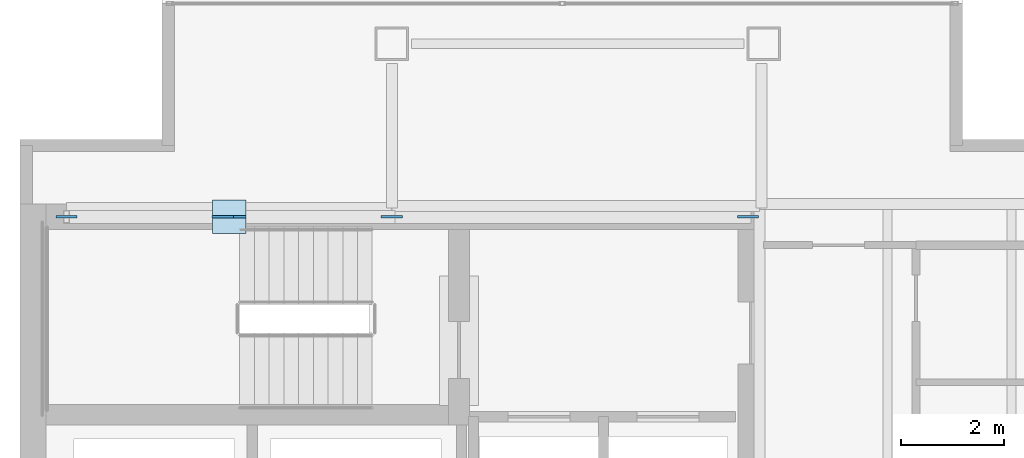
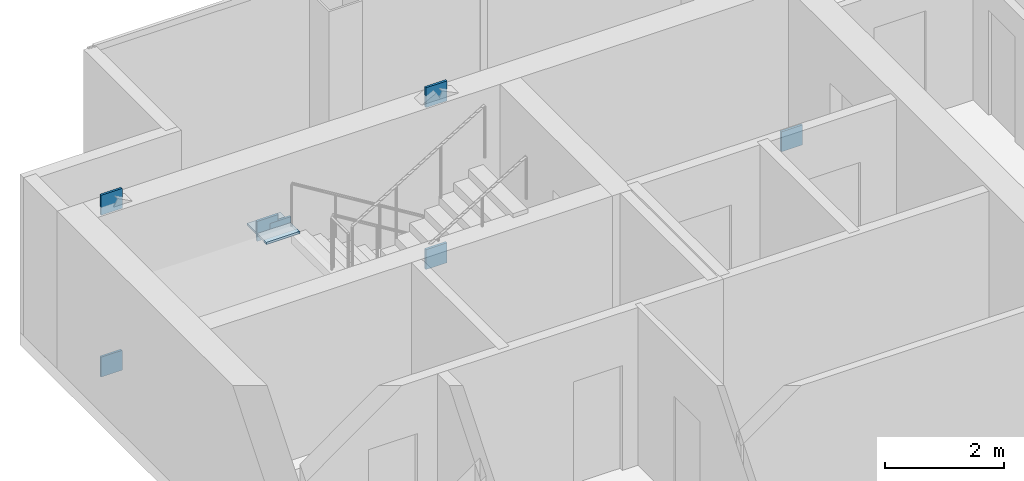
# One storey, part 21 of 24: 8 plates.
"""IFC4 building model written with IfcOpenShell, lengths in metres."""

import ifcopenshell
import ifcopenshell.guid

model = None  # the IFC model being written
_history = None  # IfcOwnerHistory: only IFC2X3 demands one
_inside = {}  # id of a spatial element -> (the spatial element, [elements in it])
_under = {}  # id of a project, library or spatial element -> (it, [spatial elements below it])
_declared = {}  # id of a project -> (the project, [libraries it declares])
_typed = {}  # id of a type object -> (the type object, [elements of that type])
_made_of = {}  # id of a material, layer set ... -> (it, [elements and type objects made of it])


def new_model(schema):
    """Start an empty IFC model of exactly this schema.

    Asked for "IFC4X3", IfcOpenShell would pick the latest addendum, in which some entities
    have other attributes; the version numbers below select the first issue.
    IFC2X3 requires an IfcOwnerHistory on every rooted entity: one is made here for all.
    """
    global model, _history
    if schema == "IFC4X3":
        model = ifcopenshell.file(schema_version=(4, 3, 0, 0))
    else:
        model = ifcopenshell.file(schema=schema)
    _inside.clear()
    _under.clear()
    _declared.clear()
    _typed.clear()
    _made_of.clear()
    _history = None
    if model.schema == "IFC2X3":
        org = make("IfcOrganization", Name="unknown")
        user = make(
            "IfcPersonAndOrganization",
            ThePerson=make("IfcPerson", FamilyName="unknown"),
            TheOrganization=org,
        )
        app = make(
            "IfcApplication",
            ApplicationDeveloper=org,
            Version="unknown",
            ApplicationFullName="unknown",
            ApplicationIdentifier="unknown",
        )
        _history = make(
            "IfcOwnerHistory",
            OwningUser=user,
            OwningApplication=app,
            ChangeAction="ADDED",
            CreationDate=0,
        )
    return model


def make(cls, **values):
    """One entity of the class cls with the attributes given. An attribute that is None is left unset."""
    return model.create_entity(
        cls, **{name: value for name, value in values.items() if value is not None}
    )


def rooted(cls, **values):
    """An entity with a GlobalId (a new one), such as an element, a storey or a relation."""
    return make(cls, GlobalId=ifcopenshell.guid.new(), OwnerHistory=_history, **values)


def si_unit(unit_type, name, prefix=None):
    """IfcSIUnit, for example si_unit("LENGTHUNIT", "METRE", prefix="MILLI")."""
    return make("IfcSIUnit", UnitType=unit_type, Prefix=prefix, Name=name)


def assignment(units):
    """IfcUnitAssignment: the units of a project."""
    return None if units is None else make("IfcUnitAssignment", Units=units)


def point(xyz):
    """IfcCartesianPoint."""
    return None if xyz is None else make("IfcCartesianPoint", Coordinates=xyz)


def direction(xyz):
    """IfcDirection."""
    return None if xyz is None else make("IfcDirection", DirectionRatios=xyz)


def frame(location, z_axis=None, x_axis=None):
    """IfcAxis2Placement3D, a coordinate frame: its origin and axes. An axis left out is left unset."""
    return make(
        "IfcAxis2Placement3D",
        Location=point(location),
        Axis=direction(z_axis),
        RefDirection=direction(x_axis),
    )


def frame_2d(location, x_axis=None):
    """IfcAxis2Placement2D, a coordinate frame in the plane: its origin and x axis."""
    return make(
        "IfcAxis2Placement2D", Location=point(location), RefDirection=direction(x_axis)
    )


def origin():
    """The frame at (0, 0, 0) with its axes left unset."""
    return frame((0.0, 0.0, 0.0))


def origin_2d():
    """The frame at (0, 0) in the plane with its x axis left unset."""
    return frame_2d((0.0, 0.0))


def place(relative_to, where):
    """IfcLocalPlacement: puts the frame where relative to a parent placement (None: the world)."""
    return make(
        "IfcLocalPlacement", PlacementRelTo=relative_to, RelativePlacement=where
    )


def context(
    kind, dimensions, precision=None, world=None, true_north=None, identifier=None
):
    """IfcGeometricRepresentationContext, for example the 3D "Model" context."""
    return make(
        "IfcGeometricRepresentationContext",
        ContextIdentifier=identifier,
        ContextType=kind,
        CoordinateSpaceDimension=dimensions,
        Precision=precision,
        WorldCoordinateSystem=world,
        TrueNorth=true_north,
    )


def subcontext(parent, identifier, kind, view, scale=None):
    """IfcGeometricRepresentationSubContext, for example "Body" below "Model"."""
    return make(
        "IfcGeometricRepresentationSubContext",
        ContextIdentifier=identifier,
        ContextType=kind,
        ParentContext=parent,
        TargetScale=scale,
        TargetView=view,
    )


def project(units=None, contexts=None):
    """IfcProject with its units and contexts."""
    return rooted(
        "IfcProject",
        Name="project",
        RepresentationContexts=contexts,
        UnitsInContext=assignment(units),
    )


def spatial(cls, under=None, at=None, **own):
    """A site, building, storey or space (cls), placed at a placement, below another one or the project."""
    s = rooted(cls, ObjectPlacement=at, **own)
    if under is not None:
        _under.setdefault(under.id(), (under, []))[1].append(s)
    return s


def profile(cls, at=None, kind="AREA", **sizes):
    """A parametric profile (cls). Its sizes go by their IFC names, for example OverallWidth=200.0."""
    return make(cls, ProfileType=kind, Position=at, **sizes)


def rectangle(**sizes):
    """IfcRectangleProfileDef."""
    return profile("IfcRectangleProfileDef", **sizes)


def extrude(swept, where, along, depth):
    """IfcExtrudedAreaSolid: the profile swept, set in the frame where, extruded along a direction by depth."""
    return make(
        "IfcExtrudedAreaSolid",
        SweptArea=swept,
        Position=where,
        ExtrudedDirection=direction(along),
        Depth=depth,
    )


def shape(context_of_items, identifier, shape_type, items):
    """IfcShapeRepresentation: the items that make up one representation, for example the "Body"."""
    return make(
        "IfcShapeRepresentation",
        ContextOfItems=context_of_items,
        RepresentationIdentifier=identifier,
        RepresentationType=shape_type,
        Items=items,
    )


def material(Name=None, Category=None):
    """IfcMaterial."""
    return make("IfcMaterial", Name=Name, Category=Category)


def layer(
    of_material, thickness, ventilated=None, Name=None, Category=None, Priority=None
):
    """IfcMaterialLayer: one layer of a wall or slab, of a material (None: an air gap)."""
    return make(
        "IfcMaterialLayer",
        Material=of_material,
        LayerThickness=thickness,
        IsVentilated=ventilated,
        Name=Name,
        Category=Category,
        Priority=Priority,
    )


def layer_set(layers, Name=None):
    """IfcMaterialLayerSet."""
    return make("IfcMaterialLayerSet", MaterialLayers=layers, LayerSetName=Name)


def made_of(thing, what):
    """Note that an element or type object is made of a material, layer set ...; save() writes the relation."""
    if what is not None:
        _made_of.setdefault(what.id(), (what, []))[1].append(thing)
    return thing


def type_object(cls, material=None, **own):
    """A type object (cls), such as IfcWallType, which elements share."""
    return made_of(rooted(cls, **own), material)


def element(
    cls,
    number,
    at=None,
    inside=None,
    cuts=None,
    type_object=None,
    material=None,
    context=None,
    identifier="Body",
    shape_type=None,
    held_by="IfcProductDefinitionShape",
    body=None,
    shapes=None,
    **own,
):
    """One element of the class cls, such as IfcWall. Its Tag is "e" and its number.

    at: its placement. inside: the storey or other place that contains it. cuts: it is an
    opening in that element (IfcRelVoidsElement). A single representation is given by context,
    identifier, shape_type and body (its items); several are given by shapes. held_by: the class
    of the entity that holds the representations. save() writes the other relations.
    """
    e = rooted(cls, Tag="e%d" % number, ObjectPlacement=at, **own)
    if body is not None:
        shapes = [shape(context, identifier, shape_type, body)]
    if shapes is not None:
        e.Representation = make(held_by, Representations=shapes)
    if inside is not None:
        _inside.setdefault(inside.id(), (inside, []))[1].append(e)
    if cuts is not None:
        rooted(
            "IfcRelVoidsElement", RelatingBuildingElement=cuts, RelatedOpeningElement=e
        )
    if type_object is not None:
        _typed.setdefault(type_object.id(), (type_object, []))[1].append(e)
    return made_of(e, material)


def aggregate(whole, parts):
    """IfcRelAggregates: a whole, such as a stair, and the parts it consists of."""
    return rooted("IfcRelAggregates", RelatingObject=whole, RelatedObjects=parts)


def save(model, path):
    """Write the relations noted so far, then the file.

    IfcRelAggregates (storeys below a building ...), IfcRelContainedInSpatialStructure (elements
    in a storey), IfcRelDefinesByType, IfcRelAssociatesMaterial and IfcRelDeclares: one each for
    every whole, place, type object, material and project.
    """
    for whole, parts in _under.values():
        aggregate(whole, parts)
    for where, things in _inside.values():
        rooted(
            "IfcRelContainedInSpatialStructure",
            RelatedElements=things,
            RelatingStructure=where,
        )
    for kind, things in _typed.values():
        rooted("IfcRelDefinesByType", RelatedObjects=things, RelatingType=kind)
    for what, things in _made_of.values():
        rooted("IfcRelAssociatesMaterial", RelatedObjects=things, RelatingMaterial=what)
    for by, libraries in _declared.values():
        rooted("IfcRelDeclares", RelatingContext=by, RelatedDefinitions=libraries)
    model.write(path)


model = new_model("IFC4")

# Units and contexts
model_context = context("Model", 3, precision=1e-05, world=origin(), true_north=direction((0.0, 1.0)))
body_context = subcontext(model_context, "Body", "Model", "MODEL_VIEW")
ifc_project = project(units=[si_unit("LENGTHUNIT", "METRE"), si_unit("AREAUNIT", "SQUARE_METRE"), si_unit("VOLUMEUNIT", "CUBIC_METRE"), si_unit("PLANEANGLEUNIT", "RADIAN"), si_unit("MASSUNIT", "GRAM", prefix="KILO")], contexts=[model_context])

# Site, building, storey
site_placement = place(None, origin())
site = spatial("IfcSite", under=ifc_project, at=site_placement, CompositionType="ELEMENT")
building_placement = place(site_placement, origin())
building = spatial("IfcBuilding", under=site, at=building_placement, Name="Cobrela Telecom Tower", CompositionType="ELEMENT")
storey_placement = place(building_placement, frame((0.0, 0.0, 241.14990234375)))
storey = spatial("IfcBuildingStorey", under=building, at=storey_placement, Name="L62", CompositionType="ELEMENT", Elevation=241.14990234375)

# Plates
ifc_material = material(Name="Steel ASTM A572 Grade 50", Category="steel")
ifc_layer = layer(ifc_material, 0.0419921875)
ifc_layer_set = layer_set([ifc_layer], Name="Steel ASTM A572 Grade 50")
plate_type = type_object("IfcPlateType", Name="PLT-NODE-ND1", PredefinedType="USERDEFINED", material=ifc_layer_set)
for number, where, z_axis, x_axis, name in (
    (1, (0.89990234375, 35.75, -0.24462890625), (0.0, 0.0, 1.0), (1.0, 0.0, 0.0), "Steel node plate PLT-MBR-EXO-L62-N1-A-0"),
    (2, (7.199951171875, 35.75, 3.0751953125), (0.0, 0.0, 1.0), (1.0, 0.0, 0.0), "Steel node plate PLT-MBR-EXO-L62-N1-A-1"),
    (3, (7.199951171875, 35.75, -0.24462890625), (0.0, 0.0, 1.0), (-1.0, 0.0, 0.0), "Steel node plate PLT-MBR-EXO-L62-N1-B1-0"),
    (4, (4.173828125, 35.75, 1.349609375), (0.0, 0.0, 1.0), (-1.0, 0.0, 0.0), "Steel node plate PLT-MBR-EXO-L62-N1-B1-1"),
    (5, (3.926025390625, 35.75, 1.48046875), (0.0, 0.0, 1.0), (-1.0, 0.0, 0.0), "Steel node plate PLT-MBR-EXO-L62-N1-B2-0"),
    (6, (0.89990234375, 35.75, 3.0751953125), (0.0, 0.0, 1.0), (-1.0, 0.0, 0.0), "Steel node plate PLT-MBR-EXO-L62-N1-B2-1"),
):
    element("IfcPlate", number, at=place(storey_placement, frame(where, z_axis=z_axis, x_axis=x_axis)), inside=storey, type_object=plate_type, Name=name, ObjectType="GUSSET PLATE", PredefinedType="USERDEFINED", context=body_context, shape_type="SweptSolid", body=[
        extrude(rectangle(XDim=0.409912109375, YDim=0.044921875, at=origin_2d()), origin(), (0.0, 0.0, 1.0), 0.409912109375),
    ])
plate_1_placement = place(storey_placement, frame((4.050048828125, 35.75, 1.59765625), z_axis=(0.0, 0.0, 1.0), x_axis=(1.0, 0.0, 0.0)))
element("IfcPlate", 7, at=plate_1_placement, inside=storey, type_object=plate_type, Name="L62 Core Flange Steel X-Brace Central X-Crossing Gusset Plate", ObjectType="GUSSET PLATE", PredefinedType="USERDEFINED", context=body_context, shape_type="SweptSolid", body=[
    extrude(rectangle(XDim=0.64990234375, YDim=0.64990234375, at=origin_2d()), origin(), (0.0, 0.0, 1.0), 0.044921875),
])
plate_2_placement = place(storey_placement, frame((14.10009765625, 35.75, -0.24462890625), z_axis=(0.0, 0.0, 1.0), x_axis=(-1.0, 0.0, 0.0)))
element("IfcPlate", 8, at=plate_2_placement, inside=storey, type_object=plate_type, Name="Steel node plate PLT-MBR-EXO-L62-N2-0", ObjectType="GUSSET PLATE", PredefinedType="USERDEFINED", context=body_context, shape_type="SweptSolid", body=[
    extrude(rectangle(XDim=0.409912109375, YDim=0.044921875, at=origin_2d()), origin(), (0.0, 0.0, 1.0), 0.409912109375),
])

save(model, "model.ifc")
